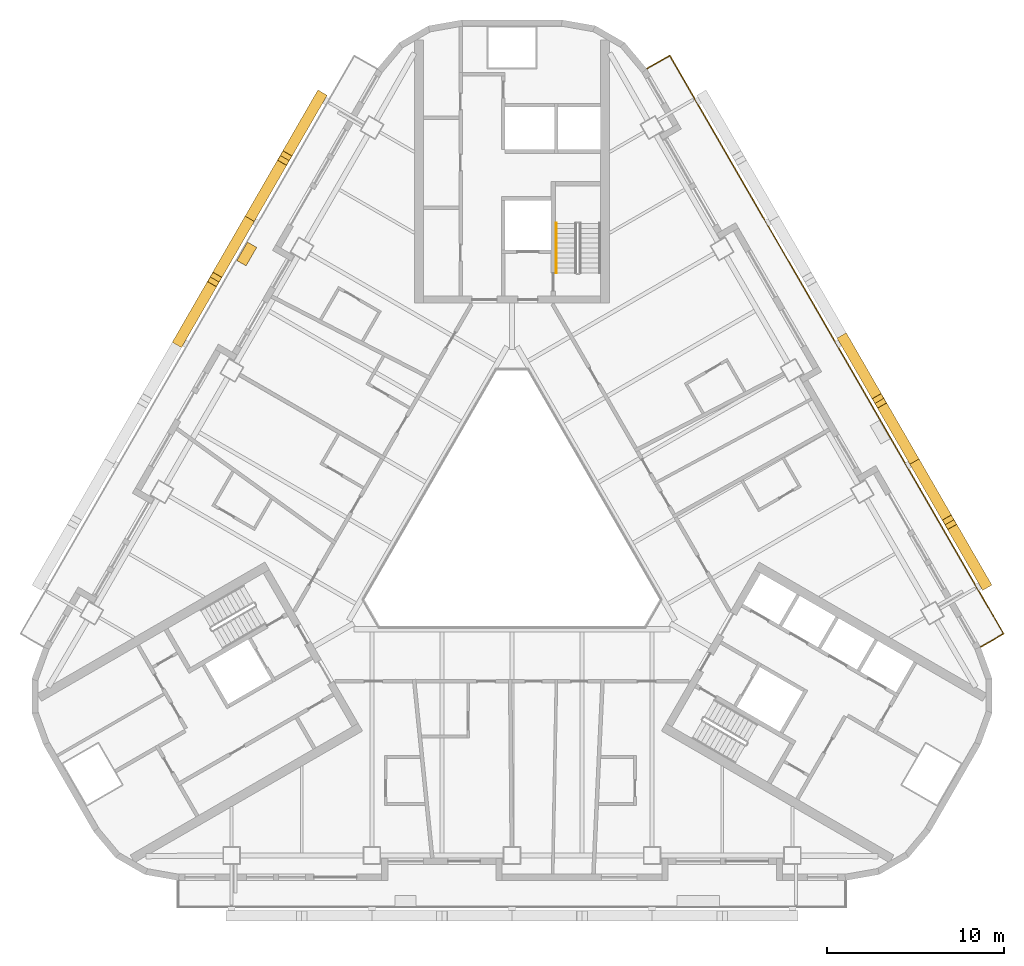
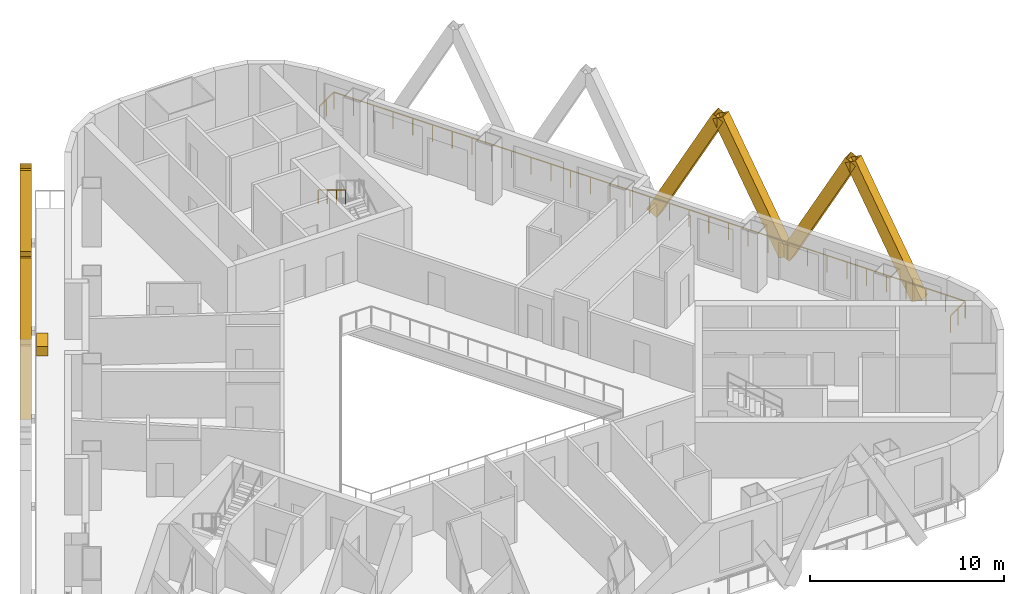
# One storey, part 13 of 14: 8 shading devices, 2 railings, 1 covering.
"""IFC4 building model written with IfcOpenShell, lengths in metres."""

from ifc_helpers import new_model, si_unit, direction, frame, origin, origin_2d, place, context, subcontext, project, spatial, rectangle, hollow_rectangle, circle, extrude, material, material_profile, profile_set, type_object, element, save


model = new_model("IFC4")

# Units and contexts
model_context = context("Model", 3, precision=1e-05, world=origin(), true_north=direction((0.0, 1.0)))
body_context = subcontext(model_context, "Body", "Model", "MODEL_VIEW")
ifc_project = project(units=[si_unit("LENGTHUNIT", "METRE"), si_unit("AREAUNIT", "SQUARE_METRE"), si_unit("VOLUMEUNIT", "CUBIC_METRE"), si_unit("PLANEANGLEUNIT", "RADIAN"), si_unit("MASSUNIT", "GRAM", prefix="KILO")], contexts=[model_context])

# Site, building, storey
site_placement = place(None, origin())
site = spatial("IfcSite", under=ifc_project, at=site_placement, CompositionType="ELEMENT")
building_placement = place(site_placement, origin())
building = spatial("IfcBuilding", under=site, at=building_placement, Name="Apuvela Tower Hotel", CompositionType="ELEMENT")
storey_placement = place(building_placement, frame((0.0, 0.0, 76.10009765625)))
storey = spatial("IfcBuildingStorey", under=building, at=storey_placement, Name="L16", CompositionType="ELEMENT", Elevation=76.10009765625)

# Railing
ifc_material_1 = material(Name="Stainless steel 316 handrail", Category="steel")
railing_type_1 = type_object("IfcRailingType", Name="COR-HANDRAIL-900", PredefinedType="HANDRAIL", material=ifc_material_1)
railing_1_placement = place(storey_placement, frame((2.5, 17.39990234375, 2.01806640625)))
element("IfcRailing", 1, at=railing_1_placement, inside=storey, type_object=railing_type_1, Name="L16 ST1 stair handrail 2", PredefinedType="HANDRAIL", context=body_context, shape_type="SweptSolid", body=[
    extrude(circle(Radius=0.02392578125, at=origin_2d()), frame((0.0, 0.0, 0.8759765625), z_axis=(0.0, -0.857222391501, 0.514946377315), x_axis=(1.0, 0.0, 0.0)), (0.0, 0.0, 1.0), 3.26611328125),
    extrude(rectangle(XDim=0.0419921875, YDim=0.0419921875, at=origin_2d()), origin(), (0.0, 0.0, 1.0), 0.851806640625),
    extrude(rectangle(XDim=0.0419921875, YDim=0.0419921875, at=origin_2d()), frame((0.0, -0.933349609375, 0.560546875)), (0.0, 0.0, 1.0), 0.851806640625),
    extrude(rectangle(XDim=0.0419921875, YDim=0.0419921875, at=origin_2d()), frame((0.0, -1.866455078125, 1.121337890625)), (0.0, 0.0, 1.0), 0.851806640625),
    extrude(rectangle(XDim=0.0419921875, YDim=0.0419921875, at=origin_2d()), frame((0.0, -2.7998046875, 1.681884765625)), (0.0, 0.0, 1.0), 0.851806640625),
])

# Shading devices
ifc_material_2 = material(Name="Aluminium 6063-T6, black anodised", Category="aluminium")
ifc_material_profile = material_profile(ifc_material_2, hollow_rectangle(XDim=0.60009765625, YDim=0.699951171875, WallThickness=0.011962890625, at=origin_2d()), Name="AL BOX 700x600x12")
ifc_profile_set = profile_set([ifc_material_profile], Name="Aluminium 6063-T6, black anodised")
shading_device_type = type_object("IfcShadingDeviceType", Name="ENV-FIN-700x600", PredefinedType="USERDEFINED", material=ifc_profile_set)
for number, where, z_axis, x_axis, name in (
    (2, (26.632080078125, -2.8681640625, -0.10009765625), (-0.235463880167, 0.407797827568, 0.882189148067), (-0.866005453737, -0.500034552904, 0.0), "Lattice fin NE81"),
    (3, (22.68212890625, 3.973388671875, -0.10009765625), (0.235433593518, -0.407824887177, 0.882184722404), (0.866047669374, 0.499961432884, 0.0), "Lattice fin NE82"),
    (4, (22.68212890625, 3.973388671875, -0.10009765625), (-0.235461085354, 0.407822092458, 0.882178677019), (-0.866020906874, -0.500007788796, 0.0), "Lattice fin NE83"),
):
    element("IfcShadingDevice", number, at=place(storey_placement, frame(where, z_axis=z_axis, x_axis=x_axis)), inside=storey, type_object=shading_device_type, Name=name, ObjectType="FIN", PredefinedType="USERDEFINED", context=body_context, shape_type="SweptSolid", body=[
        extrude(hollow_rectangle(XDim=0.60009765625, YDim=0.699951171875, WallThickness=0.011962890625, at=origin_2d()), origin(), (0.0, 0.0, 1.0), 8.38818359375),
    ])
shading_device_placement = place(storey_placement, frame((18.732177734375, 10.81494140625, -0.10009765625), z_axis=(0.235436388043, -0.407800622186, 0.882195193667), x_axis=(0.866032218625, 0.499988196164, 0.0)))
element("IfcShadingDevice", 5, at=shading_device_placement, inside=storey, type_object=shading_device_type, Name="Lattice fin NE84", ObjectType="FIN", PredefinedType="USERDEFINED", context=body_context, shape_type="SweptSolid", body=[
    extrude(hollow_rectangle(XDim=0.60009765625, YDim=0.699951171875, WallThickness=0.011962890625, at=origin_2d()), origin(), (0.0, 0.0, 1.0), 8.387939453125),
])
for number, where, z_axis, x_axis, name in (
    (6, (-10.83203125, 24.498291015625, -0.10009765625), (-0.235461085354, -0.407822092458, 0.882178677019), (0.866020906874, -0.500007788796, 0.0), "Lattice fin NW129"),
    (7, (-14.781982421875, 17.656494140625, -0.10009765625), (0.235433593518, 0.407824887177, 0.882184722404), (-0.866047669374, 0.499961432884, 0.0), "Lattice fin NW130"),
    (8, (-14.781982421875, 17.656494140625, -0.10009765625), (-0.235463880167, -0.407797827568, 0.882189148067), (0.866005453737, -0.500034552904, 0.0), "Lattice fin NW131"),
    (9, (-18.732177734375, 10.81494140625, -0.10009765625), (0.235461085354, 0.407822092458, 0.882178677019), (-0.866020906874, 0.500007788796, 0.0), "Lattice fin NW132"),
):
    element("IfcShadingDevice", number, at=place(storey_placement, frame(where, z_axis=z_axis, x_axis=x_axis)), inside=storey, type_object=shading_device_type, Name=name, ObjectType="FIN", PredefinedType="USERDEFINED", context=body_context, shape_type="SweptSolid", body=[
        extrude(hollow_rectangle(XDim=0.60009765625, YDim=0.699951171875, WallThickness=0.011962890625, at=origin_2d()), origin(), (0.0, 0.0, 1.0), 8.38818359375),
    ])

# Railing
ifc_material_3 = material(Name="Stainless steel 316 rail with laminated glass infill", Category="steel")
railing_type_2 = type_object("IfcRailingType", Name="ENV-GUARD-1100", PredefinedType="GUARDRAIL", material=ifc_material_3)
railing_2_placement = place(storey_placement, frame((26.407958984375, -6.47998046875, 0.0)))
element("IfcRailing", 10, at=railing_2_placement, inside=storey, type_object=railing_type_2, Name="Balcony guard NE L16", PredefinedType="GUARDRAIL", context=body_context, shape_type="SweptSolid", body=[
    extrude(rectangle(XDim=0.050048828125, YDim=0.050048828125, at=origin_2d()), frame((0.0, 0.0, 1.0751953125), z_axis=(0.866031096941, 0.499990139034, 0.0), x_axis=(-0.499990139034, 0.866031096941, 0.0)), (0.0, 0.0, 1.0), 1.5),
    extrude(rectangle(XDim=0.050048828125, YDim=0.050048828125, at=origin_2d()), frame((1.299072265625, 0.75, 1.0751953125), z_axis=(-0.500000437506, 0.86602515119, 0.0), x_axis=(-0.86602515119, -0.500000437506, 0.0)), (0.0, 0.0, 1.0), 37.6318359375),
    extrude(rectangle(XDim=0.050048828125, YDim=0.050048828125, at=origin_2d()), frame((-17.516845703125, 33.340087890625, 1.0751953125), z_axis=(-0.86599040064, -0.500060622324, 0.0), x_axis=(0.500060622324, -0.86599040064, 0.0)), (0.0, 0.0, 1.0), 1.499755859375),
    extrude(rectangle(XDim=0.0400390625, YDim=0.0400390625, at=origin_2d()), origin(), (0.0, 0.0, 1.0), 1.050048828125),
    extrude(rectangle(XDim=0.0400390625, YDim=0.0400390625, at=origin_2d()), frame((0.6494140625, 0.375, 0.0)), (0.0, 0.0, 1.0), 1.050048828125),
    extrude(rectangle(XDim=0.0400390625, YDim=0.0400390625, at=origin_2d()), frame((1.299072265625, 0.75, 0.0)), (0.0, 0.0, 1.0), 1.050048828125),
    extrude(rectangle(XDim=0.0400390625, YDim=0.0400390625, at=origin_2d()), frame((0.711181640625, 1.7685546875, 0.0)), (0.0, 0.0, 1.0), 1.050048828125),
    extrude(rectangle(XDim=0.0400390625, YDim=0.0400390625, at=origin_2d()), frame((0.123046875, 2.786865234375, 0.0)), (0.0, 0.0, 1.0), 1.050048828125),
    extrude(rectangle(XDim=0.0400390625, YDim=0.0400390625, at=origin_2d()), frame((-0.46484375, 3.805419921875, 0.0)), (0.0, 0.0, 1.0), 1.050048828125),
    extrude(rectangle(XDim=0.0400390625, YDim=0.0400390625, at=origin_2d()), frame((-1.052978515625, 4.82373046875, 0.0)), (0.0, 0.0, 1.0), 1.050048828125),
    extrude(rectangle(XDim=0.0400390625, YDim=0.0400390625, at=origin_2d()), frame((-1.640869140625, 5.84228515625, 0.0)), (0.0, 0.0, 1.0), 1.050048828125),
    extrude(rectangle(XDim=0.0400390625, YDim=0.0400390625, at=origin_2d()), frame((-2.22900390625, 6.860595703125, 0.0)), (0.0, 0.0, 1.0), 1.050048828125),
    extrude(rectangle(XDim=0.0400390625, YDim=0.0400390625, at=origin_2d()), frame((-2.81689453125, 7.879150390625, 0.0)), (0.0, 0.0, 1.0), 1.050048828125),
    extrude(rectangle(XDim=0.0400390625, YDim=0.0400390625, at=origin_2d()), frame((-3.40478515625, 8.8974609375, 0.0)), (0.0, 0.0, 1.0), 1.050048828125),
    extrude(rectangle(XDim=0.0400390625, YDim=0.0400390625, at=origin_2d()), frame((-3.992919921875, 9.916015625, 0.0)), (0.0, 0.0, 1.0), 1.050048828125),
    extrude(rectangle(XDim=0.0400390625, YDim=0.0400390625, at=origin_2d()), frame((-4.580810546875, 10.934326171875, 0.0)), (0.0, 0.0, 1.0), 1.050048828125),
    extrude(rectangle(XDim=0.0400390625, YDim=0.0400390625, at=origin_2d()), frame((-5.1689453125, 11.952880859375, 0.0)), (0.0, 0.0, 1.0), 1.050048828125),
    extrude(rectangle(XDim=0.0400390625, YDim=0.0400390625, at=origin_2d()), frame((-5.7568359375, 12.97119140625, 0.0)), (0.0, 0.0, 1.0), 1.050048828125),
    extrude(rectangle(XDim=0.0400390625, YDim=0.0400390625, at=origin_2d()), frame((-6.344970703125, 13.98974609375, 0.0)), (0.0, 0.0, 1.0), 1.050048828125),
    extrude(rectangle(XDim=0.0400390625, YDim=0.0400390625, at=origin_2d()), frame((-6.932861328125, 15.008056640625, 0.0)), (0.0, 0.0, 1.0), 1.050048828125),
    extrude(rectangle(XDim=0.0400390625, YDim=0.0400390625, at=origin_2d()), frame((-7.52099609375, 16.026611328125, 0.0)), (0.0, 0.0, 1.0), 1.050048828125),
    extrude(rectangle(XDim=0.0400390625, YDim=0.0400390625, at=origin_2d()), frame((-8.10888671875, 17.044921875, 0.0)), (0.0, 0.0, 1.0), 1.050048828125),
    extrude(rectangle(XDim=0.0400390625, YDim=0.0400390625, at=origin_2d()), frame((-8.69677734375, 18.0634765625, 0.0)), (0.0, 0.0, 1.0), 1.050048828125),
    extrude(rectangle(XDim=0.0400390625, YDim=0.0400390625, at=origin_2d()), frame((-9.284912109375, 19.08203125, 0.0)), (0.0, 0.0, 1.0), 1.050048828125),
    extrude(rectangle(XDim=0.0400390625, YDim=0.0400390625, at=origin_2d()), frame((-9.872802734375, 20.100341796875, 0.0)), (0.0, 0.0, 1.0), 1.050048828125),
    extrude(rectangle(XDim=0.0400390625, YDim=0.0400390625, at=origin_2d()), frame((-10.4609375, 21.118896484375, 0.0)), (0.0, 0.0, 1.0), 1.050048828125),
    extrude(rectangle(XDim=0.0400390625, YDim=0.0400390625, at=origin_2d()), frame((-11.048828125, 22.13720703125, 0.0)), (0.0, 0.0, 1.0), 1.050048828125),
    extrude(rectangle(XDim=0.0400390625, YDim=0.0400390625, at=origin_2d()), frame((-11.636962890625, 23.15576171875, 0.0)), (0.0, 0.0, 1.0), 1.050048828125),
    extrude(rectangle(XDim=0.0400390625, YDim=0.0400390625, at=origin_2d()), frame((-12.224853515625, 24.174072265625, 0.0)), (0.0, 0.0, 1.0), 1.050048828125),
    extrude(rectangle(XDim=0.0400390625, YDim=0.0400390625, at=origin_2d()), frame((-12.81298828125, 25.192626953125, 0.0)), (0.0, 0.0, 1.0), 1.050048828125),
    extrude(rectangle(XDim=0.0400390625, YDim=0.0400390625, at=origin_2d()), frame((-13.40087890625, 26.2109375, 0.0)), (0.0, 0.0, 1.0), 1.050048828125),
    extrude(rectangle(XDim=0.0400390625, YDim=0.0400390625, at=origin_2d()), frame((-13.98876953125, 27.2294921875, 0.0)), (0.0, 0.0, 1.0), 1.050048828125),
    extrude(rectangle(XDim=0.0400390625, YDim=0.0400390625, at=origin_2d()), frame((-14.576904296875, 28.247802734375, 0.0)), (0.0, 0.0, 1.0), 1.050048828125),
    extrude(rectangle(XDim=0.0400390625, YDim=0.0400390625, at=origin_2d()), frame((-15.164794921875, 29.266357421875, 0.0)), (0.0, 0.0, 1.0), 1.050048828125),
    extrude(rectangle(XDim=0.0400390625, YDim=0.0400390625, at=origin_2d()), frame((-15.7529296875, 30.28466796875, 0.0)), (0.0, 0.0, 1.0), 1.050048828125),
    extrude(rectangle(XDim=0.0400390625, YDim=0.0400390625, at=origin_2d()), frame((-16.3408203125, 31.30322265625, 0.0)), (0.0, 0.0, 1.0), 1.050048828125),
    extrude(rectangle(XDim=0.0400390625, YDim=0.0400390625, at=origin_2d()), frame((-16.928955078125, 32.321533203125, 0.0)), (0.0, 0.0, 1.0), 1.050048828125),
    extrude(rectangle(XDim=0.0400390625, YDim=0.0400390625, at=origin_2d()), frame((-17.516845703125, 33.340087890625, 0.0)), (0.0, 0.0, 1.0), 1.050048828125),
    extrude(rectangle(XDim=0.0400390625, YDim=0.0400390625, at=origin_2d()), frame((-18.166259765625, 32.965087890625, 0.0)), (0.0, 0.0, 1.0), 1.050048828125),
    extrude(rectangle(XDim=0.0400390625, YDim=0.0400390625, at=origin_2d()), frame((-18.815673828125, 32.590087890625, 0.0)), (0.0, 0.0, 1.0), 1.050048828125),
])

# Covering
ifc_material_4 = material(Name="Planting substrate and soil, planted")
covering_type = type_object("IfcCoveringType", Name="ENV-PLANTER-1200x600", PredefinedType="USERDEFINED", material=ifc_material_4)
covering_placement = place(storey_placement, frame((-14.946044921875, 15.672607421875, -0.000244140625), z_axis=(0.0, 0.0, 1.0), x_axis=(-0.5, -0.866025403784, 0.0)))
element("IfcCovering", 11, at=covering_placement, inside=storey, type_object=covering_type, Name="Planter NW4", ObjectType="PLANTER", PredefinedType="USERDEFINED", context=body_context, shape_type="SweptSolid", body=[
    extrude(rectangle(XDim=1.199951171875, YDim=0.60009765625, at=origin_2d()), origin(), (0.0, 0.0, 1.0), 0.60009765625),
])

save(model, "model.ifc")
